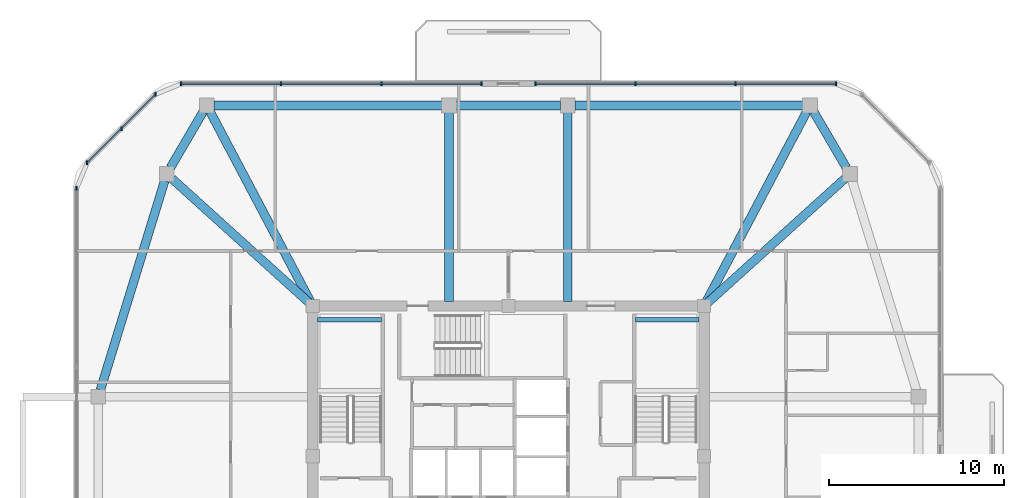
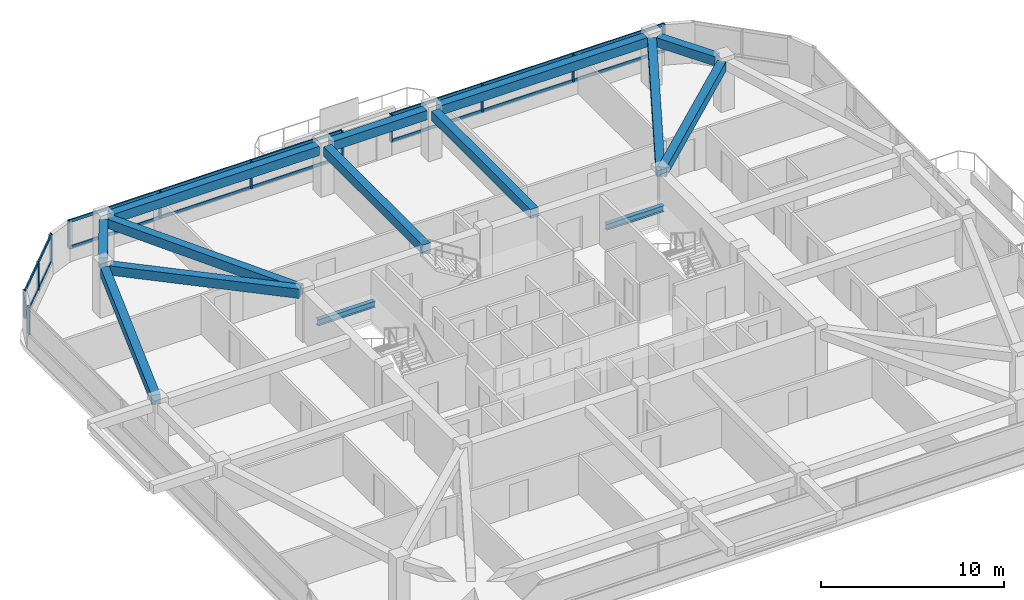
# One storey, part 6 of 14: 18 members, 14 beams, 4 elements without a shape of their own.
"""IFC4 building model written with IfcOpenShell, lengths in metres."""

from ifc_helpers import new_model, si_unit, derived_unit, direction, frame, origin, origin_2d, place, context, subcontext, project, spatial, rectangle, i_section, extrude, material, material_profile, profile_set, type_object, element, aggregate, save


model = new_model("IFC4")

# Units and contexts
model_context = context("Model", 3, precision=1e-05, world=origin(), true_north=direction((0.0, 1.0)))
body_context = subcontext(model_context, "Body", "Model", "MODEL_VIEW")
ifc_project = project(units=[si_unit("LENGTHUNIT", "METRE"), si_unit("AREAUNIT", "SQUARE_METRE"), si_unit("VOLUMEUNIT", "CUBIC_METRE"), si_unit("PLANEANGLEUNIT", "RADIAN"), si_unit("MASSUNIT", "GRAM", prefix="KILO"), derived_unit("THERMALTRANSMITTANCEUNIT", [(si_unit("POWERUNIT", "WATT"), 1), (si_unit("LENGTHUNIT", "METRE"), -2), (si_unit("THERMODYNAMICTEMPERATUREUNIT", "KELVIN"), -1)])], contexts=[model_context])

# Site, building, storey
site_placement = place(None, origin())
site = spatial("IfcSite", under=ifc_project, at=site_placement, CompositionType="ELEMENT")
building_placement = place(site_placement, origin())
building = spatial("IfcBuilding", under=site, at=building_placement, Name="Koralith Skygarden Medical Center", CompositionType="ELEMENT")
storey_placement = place(building_placement, frame((0.0, 0.0, 260.820068359375)))
storey = spatial("IfcBuildingStorey", under=building, at=storey_placement, Name="L67", CompositionType="ELEMENT", Elevation=260.820068359375)

# Curtain wall, members
ifc_material_1 = material(Name="Clear Laminated Glass", Category="glass")
curtain_wall_type = type_object("IfcCurtainWallType", Name="CW-6 Zone 5 Upper Clinical Curtain Wall", PredefinedType="NOTDEFINED", material=ifc_material_1)
curtain_wall_1_placement = place(storey_placement, origin())
curtain_wall_1 = element("IfcCurtainWall", 1, at=curtain_wall_1_placement, inside=storey, type_object=curtain_wall_type, Name="Curtain Wall CW-L67-N-L", PredefinedType="NOTDEFINED")
ifc_material_2 = material(Name="Aluminium 6063-T6", Category="aluminium")
ifc_material_profile_1 = material_profile(ifc_material_2, rectangle(XDim=0.0830078125, YDim=0.219970703125, at=origin_2d()), Name="MUL83X220")
ifc_profile_set_1 = profile_set([ifc_material_profile_1], Name="Aluminium 6063-T6")
member_type_1 = type_object("IfcMemberType", Name="CW-6 Extruded Mullion 83x220", PredefinedType="MULLION", material=ifc_profile_set_1)
member_1_placement = place(storey_placement, frame((55.7451171875, 47.219970703125, 0.849853515625), z_axis=(0.0, 0.0, 1.0), x_axis=(1.0, 0.0, 0.0)))
member_1 = element("IfcMember", 2, at=member_1_placement, type_object=member_type_1, Name="CW-L67-N-L Mullion 1", PredefinedType="MULLION", context=body_context, shape_type="SweptSolid", body=[
    extrude(rectangle(XDim=0.0830078125, YDim=0.219970703125, at=origin_2d()), origin(), (0.0, 0.0, 1.0), 1.840087890625),
])
member_2_placement = place(storey_placement, frame((50.010009765625, 47.219970703125, 0.849853515625), z_axis=(0.0, 0.0, 1.0), x_axis=(1.0, 0.0, 0.0)))
member_2 = element("IfcMember", 3, at=member_2_placement, type_object=member_type_1, Name="CW-L67-N-L Mullion 2", PredefinedType="MULLION", context=body_context, shape_type="SweptSolid", body=[
    extrude(rectangle(XDim=0.0830078125, YDim=0.219970703125, at=origin_2d()), origin(), (0.0, 0.0, 1.0), 1.840087890625),
])
member_3_placement = place(storey_placement, frame((44.27587890625, 47.219970703125, 0.849853515625), z_axis=(0.0, 0.0, 1.0), x_axis=(1.0, 0.0, 0.0)))
member_3 = element("IfcMember", 4, at=member_3_placement, type_object=member_type_1, Name="CW-L67-N-L Mullion 3", PredefinedType="MULLION", context=body_context, shape_type="SweptSolid", body=[
    extrude(rectangle(XDim=0.0830078125, YDim=0.219970703125, at=origin_2d()), origin(), (0.0, 0.0, 1.0), 1.840087890625),
])
member_4_placement = place(storey_placement, frame((38.541015625, 47.219970703125, 0.849853515625), z_axis=(0.0, 0.0, 1.0), x_axis=(1.0, 0.0, 0.0)))
member_4 = element("IfcMember", 5, at=member_4_placement, type_object=member_type_1, Name="CW-L67-N-L Mullion 4", PredefinedType="MULLION", context=body_context, shape_type="SweptSolid", body=[
    extrude(rectangle(XDim=0.0830078125, YDim=0.219970703125, at=origin_2d()), origin(), (0.0, 0.0, 1.0), 1.840087890625),
])

curtain_wall_2_placement = place(storey_placement, origin())
curtain_wall_2 = element("IfcCurtainWall", 6, at=curtain_wall_2_placement, inside=storey, type_object=curtain_wall_type, Name="Curtain Wall CW-L67-N-R", PredefinedType="NOTDEFINED")
member_5_placement = place(storey_placement, frame((35.4609375, 47.219970703125, 0.849853515625), z_axis=(0.0, 0.0, 1.0), x_axis=(1.0, 0.0, 0.0)))
member_5 = element("IfcMember", 7, at=member_5_placement, type_object=member_type_1, Name="CW-L67-N-R Mullion 1", PredefinedType="MULLION", context=body_context, shape_type="SweptSolid", body=[
    extrude(rectangle(XDim=0.0830078125, YDim=0.219970703125, at=origin_2d()), origin(), (0.0, 0.0, 1.0), 1.840087890625),
])
member_6_placement = place(storey_placement, frame((29.72607421875, 47.219970703125, 0.849853515625), z_axis=(0.0, 0.0, 1.0), x_axis=(1.0, 0.0, 0.0)))
member_6 = element("IfcMember", 8, at=member_6_placement, type_object=member_type_1, Name="CW-L67-N-R Mullion 2", PredefinedType="MULLION", context=body_context, shape_type="SweptSolid", body=[
    extrude(rectangle(XDim=0.0830078125, YDim=0.219970703125, at=origin_2d()), origin(), (0.0, 0.0, 1.0), 1.840087890625),
])
member_7_placement = place(storey_placement, frame((23.989990234375, 47.219970703125, 0.849853515625), z_axis=(0.0, 0.0, 1.0), x_axis=(1.0, 0.0, 0.0)))
member_7 = element("IfcMember", 9, at=member_7_placement, type_object=member_type_1, Name="CW-L67-N-R Mullion 3", PredefinedType="MULLION", context=body_context, shape_type="SweptSolid", body=[
    extrude(rectangle(XDim=0.0830078125, YDim=0.219970703125, at=origin_2d()), origin(), (0.0, 0.0, 1.0), 1.840087890625),
])
member_8_placement = place(storey_placement, frame((18.2548828125, 47.219970703125, 0.849853515625), z_axis=(0.0, 0.0, 1.0), x_axis=(1.0, 0.0, 0.0)))
member_8 = element("IfcMember", 10, at=member_8_placement, type_object=member_type_1, Name="CW-L67-N-R Mullion 4", PredefinedType="MULLION", context=body_context, shape_type="SweptSolid", body=[
    extrude(rectangle(XDim=0.0830078125, YDim=0.219970703125, at=origin_2d()), origin(), (0.0, 0.0, 1.0), 1.840087890625),
])

curtain_wall_3_placement = place(storey_placement, origin())
curtain_wall_3 = element("IfcCurtainWall", 11, at=curtain_wall_3_placement, inside=storey, type_object=curtain_wall_type, Name="Curtain Wall CW-L67-NW", PredefinedType="NOTDEFINED")
member_9_placement = place(storey_placement, frame((16.803955078125, 46.618896484375, 0.849853515625), z_axis=(0.0, 0.0, 1.0), x_axis=(1.0, 0.0, 0.0)))
member_9 = element("IfcMember", 12, at=member_9_placement, type_object=member_type_1, Name="CW-L67-NW Mullion 1", PredefinedType="MULLION", context=body_context, shape_type="SweptSolid", body=[
    extrude(rectangle(XDim=0.0830078125, YDim=0.219970703125, at=origin_2d()), origin(), (0.0, 0.0, 1.0), 1.840087890625),
])
member_10_placement = place(storey_placement, frame((14.842041015625, 44.656982421875, 0.849853515625), z_axis=(0.0, 0.0, 1.0), x_axis=(1.0, 0.0, 0.0)))
member_10 = element("IfcMember", 13, at=member_10_placement, type_object=member_type_1, Name="CW-L67-NW Mullion 2", PredefinedType="MULLION", context=body_context, shape_type="SweptSolid", body=[
    extrude(rectangle(XDim=0.0830078125, YDim=0.219970703125, at=origin_2d()), origin(), (0.0, 0.0, 1.0), 1.840087890625),
])
member_11_placement = place(storey_placement, frame((12.881103515625, 42.696044921875, 0.849853515625), z_axis=(0.0, 0.0, 1.0), x_axis=(1.0, 0.0, 0.0)))
member_11 = element("IfcMember", 14, at=member_11_placement, type_object=member_type_1, Name="CW-L67-NW Mullion 3", PredefinedType="MULLION", context=body_context, shape_type="SweptSolid", body=[
    extrude(rectangle(XDim=0.0830078125, YDim=0.219970703125, at=origin_2d()), origin(), (0.0, 0.0, 1.0), 1.840087890625),
])

# Curtain wall, member
curtain_wall_4_placement = place(storey_placement, origin())
curtain_wall_4 = element("IfcCurtainWall", 15, at=curtain_wall_4_placement, inside=storey, type_object=curtain_wall_type, Name="Curtain Wall CW-L67-W", PredefinedType="NOTDEFINED")
member_12_placement = place(storey_placement, frame((12.280029296875, 41.2451171875, 0.849853515625), z_axis=(0.0, 0.0, 1.0), x_axis=(1.0, 0.0, 0.0)))
member_12 = element("IfcMember", 16, at=member_12_placement, type_object=member_type_1, Name="CW-L67-W Mullion 1", PredefinedType="MULLION", context=body_context, shape_type="SweptSolid", body=[
    extrude(rectangle(XDim=0.0830078125, YDim=0.219970703125, at=origin_2d()), origin(), (0.0, 0.0, 1.0), 1.840087890625),
])
aggregate(curtain_wall_4, [member_12])

# Member
ifc_material_profile_2 = material_profile(ifc_material_2, rectangle(XDim=0.077880859375, YDim=0.197998046875, at=origin_2d()), Name="TRN78X198")
ifc_profile_set_2 = profile_set([ifc_material_profile_2], Name="Aluminium 6063-T6")
member_type_2 = type_object("IfcMemberType", Name="CW-6 Thermal Transom 78x198", PredefinedType="USERDEFINED", material=ifc_profile_set_2)
member_13_placement = place(storey_placement, frame((55.7451171875, 47.219970703125, 0.89990234375), z_axis=(-1.0, 0.0, 0.0), x_axis=(0.0, -1.0, 0.0)))
member_13 = element("IfcMember", 17, at=member_13_placement, type_object=member_type_2, Name="CW-L67-N-L Transom 1", ObjectType="TRANSOM", PredefinedType="USERDEFINED", context=body_context, shape_type="SweptSolid", body=[
    extrude(rectangle(XDim=0.077880859375, YDim=0.197998046875, at=origin_2d()), origin(), (0.0, 0.0, 1.0), 17.2041015625),
])

member_14_placement = place(storey_placement, frame((55.7451171875, 47.219970703125, 2.639892578125), z_axis=(-1.0, 0.0, 0.0), x_axis=(0.0, -1.0, 0.0)))
member_14 = element("IfcMember", 18, at=member_14_placement, type_object=member_type_2, Name="CW-L67-N-L Transom 2", ObjectType="TRANSOM", PredefinedType="USERDEFINED", context=body_context, shape_type="SweptSolid", body=[
    extrude(rectangle(XDim=0.077880859375, YDim=0.197998046875, at=origin_2d()), origin(), (0.0, 0.0, 1.0), 17.2041015625),
])

aggregate(curtain_wall_1, [member_1, member_2, member_3, member_4, member_13, member_14])

member_15_placement = place(storey_placement, frame((35.4609375, 47.219970703125, 0.89990234375), z_axis=(-1.0, 0.0, 0.0), x_axis=(0.0, -1.0, 0.0)))
member_15 = element("IfcMember", 19, at=member_15_placement, type_object=member_type_2, Name="CW-L67-N-R Transom 1", ObjectType="TRANSOM", PredefinedType="USERDEFINED", context=body_context, shape_type="SweptSolid", body=[
    extrude(rectangle(XDim=0.077880859375, YDim=0.197998046875, at=origin_2d()), origin(), (0.0, 0.0, 1.0), 17.2060546875),
])

member_16_placement = place(storey_placement, frame((35.4609375, 47.219970703125, 2.639892578125), z_axis=(-1.0, 0.0, 0.0), x_axis=(0.0, -1.0, 0.0)))
member_16 = element("IfcMember", 20, at=member_16_placement, type_object=member_type_2, Name="CW-L67-N-R Transom 2", ObjectType="TRANSOM", PredefinedType="USERDEFINED", context=body_context, shape_type="SweptSolid", body=[
    extrude(rectangle(XDim=0.077880859375, YDim=0.197998046875, at=origin_2d()), origin(), (0.0, 0.0, 1.0), 17.2060546875),
])

aggregate(curtain_wall_2, [member_5, member_6, member_7, member_8, member_15, member_16])

member_17_placement = place(storey_placement, frame((16.803955078125, 46.618896484375, 0.89990234375), z_axis=(-0.707106781187, -0.707106781187, 0.0), x_axis=(0.707106781187, -0.707106781187, 0.0)))
member_17 = element("IfcMember", 21, at=member_17_placement, type_object=member_type_2, Name="CW-L67-NW Transom 1", ObjectType="TRANSOM", PredefinedType="USERDEFINED", context=body_context, shape_type="SweptSolid", body=[
    extrude(rectangle(XDim=0.077880859375, YDim=0.197998046875, at=origin_2d()), origin(), (0.0, 0.0, 1.0), 5.5478515625),
])

member_18_placement = place(storey_placement, frame((16.803955078125, 46.618896484375, 2.639892578125), z_axis=(-0.707106781187, -0.707106781187, 0.0), x_axis=(0.707106781187, -0.707106781187, 0.0)))
member_18 = element("IfcMember", 22, at=member_18_placement, type_object=member_type_2, Name="CW-L67-NW Transom 2", ObjectType="TRANSOM", PredefinedType="USERDEFINED", context=body_context, shape_type="SweptSolid", body=[
    extrude(rectangle(XDim=0.077880859375, YDim=0.197998046875, at=origin_2d()), origin(), (0.0, 0.0, 1.0), 5.5478515625),
])

aggregate(curtain_wall_3, [member_9, member_10, member_11, member_17, member_18])

# Beams
ifc_material_3 = material(Name="Steel ASTM A992 Grade 50", Category="steel")
ifc_material_profile_3 = material_profile(ifc_material_3, i_section(OverallWidth=0.260009765625, OverallDepth=0.4150390625, WebThickness=0.010009765625, FlangeThickness=0.016845703125, at=origin_2d()), Name="W16X67")
ifc_profile_set_3 = profile_set([ifc_material_profile_3], Name="Steel ASTM A992 Grade 50")
beam_type_1 = type_object("IfcBeamType", Name="Clinical Floor Joist W16X67", PredefinedType="JOIST", material=ifc_profile_set_3)
for number, where, z_axis, x_axis, name in (
    (23, (26.080078125, 33.699951171875, 1.392822265625), (1.0, 0.0, 0.0), (0.0, 1.0, 0.0), "L67 Stair ST1 Half-Landing Support Beam 1B"),
    (24, (44.280029296875, 33.699951171875, 1.392822265625), (1.0, 0.0, 0.0), (0.0, 1.0, 0.0), "L67 Stair ST2 Half-Landing Support Beam 1B"),
):
    element("IfcBeam", number, at=place(storey_placement, frame(where, z_axis=z_axis, x_axis=x_axis)), inside=storey, type_object=beam_type_1, Name=name, PredefinedType="JOIST", context=body_context, shape_type="SweptSolid", body=[
        extrude(i_section(OverallWidth=0.260009765625, OverallDepth=0.4150390625, WebThickness=0.010009765625, FlangeThickness=0.016845703125, at=origin_2d()), origin(), (0.0, 0.0, 1.0), 3.639892578125),
    ])
ifc_material_4 = material(Name="Concrete C45/55", Category="concrete")
ifc_material_profile_4 = material_profile(ifc_material_4, rectangle(XDim=0.5, YDim=0.6201171875, at=origin_2d()), Name="RCB500X620")
ifc_profile_set_4 = profile_set([ifc_material_profile_4], Name="Concrete C45/55")
beam_type_2 = type_object("IfcBeamType", Name="Upper Radial Collector Beam RCB500X620", PredefinedType="BEAM", material=ifc_profile_set_4)
beam_1_placement = place(storey_placement, frame((48.385009765625, 34.66796875, 3.010009765625), z_axis=(0.741747768548, 0.670678945438, 0.0), x_axis=(-0.670678945438, 0.741747768548, 0.0)))
element("IfcBeam", 25, at=beam_1_placement, inside=storey, type_object=beam_type_2, Name="L67 Radial Collector Beam RB-10", PredefinedType="BEAM", context=body_context, shape_type="SweptSolid", body=[
    extrude(rectangle(XDim=0.5, YDim=0.6201171875, at=origin_2d()), origin(), (0.0, 0.0, 1.0), 10.611572265625),
])
beam_2_placement = place(storey_placement, frame((48.31689453125, 34.720947265625, 3.010009765625), z_axis=(0.467256895772, 0.884121594213, 0.0), x_axis=(-0.884121594213, 0.467256895772, 0.0)))
element("IfcBeam", 26, at=beam_2_placement, inside=storey, type_object=beam_type_2, Name="L67 Radial Collector Beam RB-11", PredefinedType="BEAM", context=body_context, shape_type="SweptSolid", body=[
    extrude(rectangle(XDim=0.5, YDim=0.6201171875, at=origin_2d()), origin(), (0.0, 0.0, 1.0), 12.3251953125),
])
for number, where, z_axis, x_axis, name in (
    (27, (40.39990234375, 34.75, 3.010009765625), (0.0, 1.0, 0.0), (-1.0, 0.0, 0.0), "L67 Radial Collector Beam RB-12"),
    (28, (33.60009765625, 34.75, 3.010009765625), (0.0, 1.0, 0.0), (-1.0, 0.0, 0.0), "L67 Radial Collector Beam RB-13"),
):
    element("IfcBeam", number, at=place(storey_placement, frame(where, z_axis=z_axis, x_axis=x_axis)), inside=storey, type_object=beam_type_2, Name=name, PredefinedType="BEAM", context=body_context, shape_type="SweptSolid", body=[
        extrude(rectangle(XDim=0.5, YDim=0.6201171875, at=origin_2d()), origin(), (0.0, 0.0, 1.0), 10.820068359375),
    ])
beam_3_placement = place(storey_placement, frame((25.68310546875, 34.720947265625, 3.010009765625), z_axis=(-0.467256895772, 0.884121594213, 0.0), x_axis=(-0.884121594213, -0.467256895772, 0.0)))
element("IfcBeam", 29, at=beam_3_placement, inside=storey, type_object=beam_type_2, Name="L67 Radial Collector Beam RB-14", PredefinedType="BEAM", context=body_context, shape_type="SweptSolid", body=[
    extrude(rectangle(XDim=0.5, YDim=0.6201171875, at=origin_2d()), origin(), (0.0, 0.0, 1.0), 12.3251953125),
])
beam_4_placement = place(storey_placement, frame((25.614990234375, 34.66796875, 3.010009765625), z_axis=(-0.741747768548, 0.670678945438, 0.0), x_axis=(-0.670678945438, -0.741747768548, 0.0)))
element("IfcBeam", 30, at=beam_4_placement, inside=storey, type_object=beam_type_2, Name="L67 Radial Collector Beam RB-15", PredefinedType="BEAM", context=body_context, shape_type="SweptSolid", body=[
    extrude(rectangle(XDim=0.5, YDim=0.6201171875, at=origin_2d()), origin(), (0.0, 0.0, 1.0), 10.611572265625),
])
ifc_material_profile_5 = material_profile(ifc_material_4, rectangle(XDim=0.5, YDim=0.6201171875, at=origin_2d()), Name="RCB500X620")
ifc_profile_set_5 = profile_set([ifc_material_profile_5], Name="Concrete C45/55")
beam_type_3 = type_object("IfcBeamType", Name="Zone 4-5 Spandrel Beam RCB500X620", PredefinedType="SPANDREL", material=ifc_profile_set_5)
beam_5_placement = place(storey_placement, frame((56.35302734375, 42.4140625, 3.010009765625), z_axis=(-0.50473571007, 0.863273921175, 0.0), x_axis=(-0.863273921175, -0.50473571007, 0.0)))
element("IfcBeam", 31, at=beam_5_placement, inside=storey, type_object=beam_type_3, Name="L67 Perimeter Spandrel Beam SP-10", PredefinedType="SPANDREL", context=body_context, shape_type="SweptSolid", body=[
    extrude(rectangle(XDim=0.5, YDim=0.6201171875, at=origin_2d()), origin(), (0.0, 0.0, 1.0), 3.720703125),
])
beam_6_placement = place(storey_placement, frame((53.85791015625, 45.97998046875, 3.010009765625), z_axis=(-1.0, 0.0, 0.0), x_axis=(0.0, -1.0, 0.0)))
element("IfcBeam", 32, at=beam_6_placement, inside=storey, type_object=beam_type_3, Name="L67 Perimeter Spandrel Beam SP-11", PredefinedType="SPANDREL", context=body_context, shape_type="SweptSolid", body=[
    extrude(rectangle(XDim=0.5, YDim=0.6201171875, at=origin_2d()), origin(), (0.0, 0.0, 1.0), 13.0478515625),
])
beam_7_placement = place(storey_placement, frame((39.989990234375, 45.97998046875, 3.010009765625), z_axis=(-1.0, 0.0, 0.0), x_axis=(0.0, -1.0, 0.0)))
element("IfcBeam", 33, at=beam_7_placement, inside=storey, type_object=beam_type_3, Name="L67 Perimeter Spandrel Beam SP-12", PredefinedType="SPANDREL", context=body_context, shape_type="SweptSolid", body=[
    extrude(rectangle(XDim=0.5, YDim=0.6201171875, at=origin_2d()), origin(), (0.0, 0.0, 1.0), 5.97998046875),
])
beam_8_placement = place(storey_placement, frame((33.18994140625, 45.97998046875, 3.010009765625), z_axis=(-1.0, 0.0, 0.0), x_axis=(0.0, -1.0, 0.0)))
element("IfcBeam", 34, at=beam_8_placement, inside=storey, type_object=beam_type_3, Name="L67 Perimeter Spandrel Beam SP-13", PredefinedType="SPANDREL", context=body_context, shape_type="SweptSolid", body=[
    extrude(rectangle(XDim=0.5, YDim=0.6201171875, at=origin_2d()), origin(), (0.0, 0.0, 1.0), 13.0478515625),
])
beam_9_placement = place(storey_placement, frame((19.52490234375, 45.6259765625, 3.010009765625), z_axis=(-0.50473571007, -0.863273921175, 0.0), x_axis=(0.863273921175, -0.50473571007, 0.0)))
element("IfcBeam", 35, at=beam_9_placement, inside=storey, type_object=beam_type_3, Name="L67 Perimeter Spandrel Beam SP-14", PredefinedType="SPANDREL", context=body_context, shape_type="SweptSolid", body=[
    extrude(rectangle(XDim=0.5, YDim=0.6201171875, at=origin_2d()), origin(), (0.0, 0.0, 1.0), 3.720703125),
])
beam_10_placement = place(storey_placement, frame((17.320068359375, 41.66796875, 3.010009765625), z_axis=(-0.293738023424, -0.955885962652, 0.0), x_axis=(0.955885962652, -0.293738023424, 0.0)))
element("IfcBeam", 36, at=beam_10_placement, inside=storey, type_object=beam_type_3, Name="L67 Perimeter Spandrel Beam SP-15", PredefinedType="SPANDREL", context=body_context, shape_type="SweptSolid", body=[
    extrude(rectangle(XDim=0.5, YDim=0.6201171875, at=origin_2d()), origin(), (0.0, 0.0, 1.0), 12.52880859375),
])

save(model, "model.ifc")
